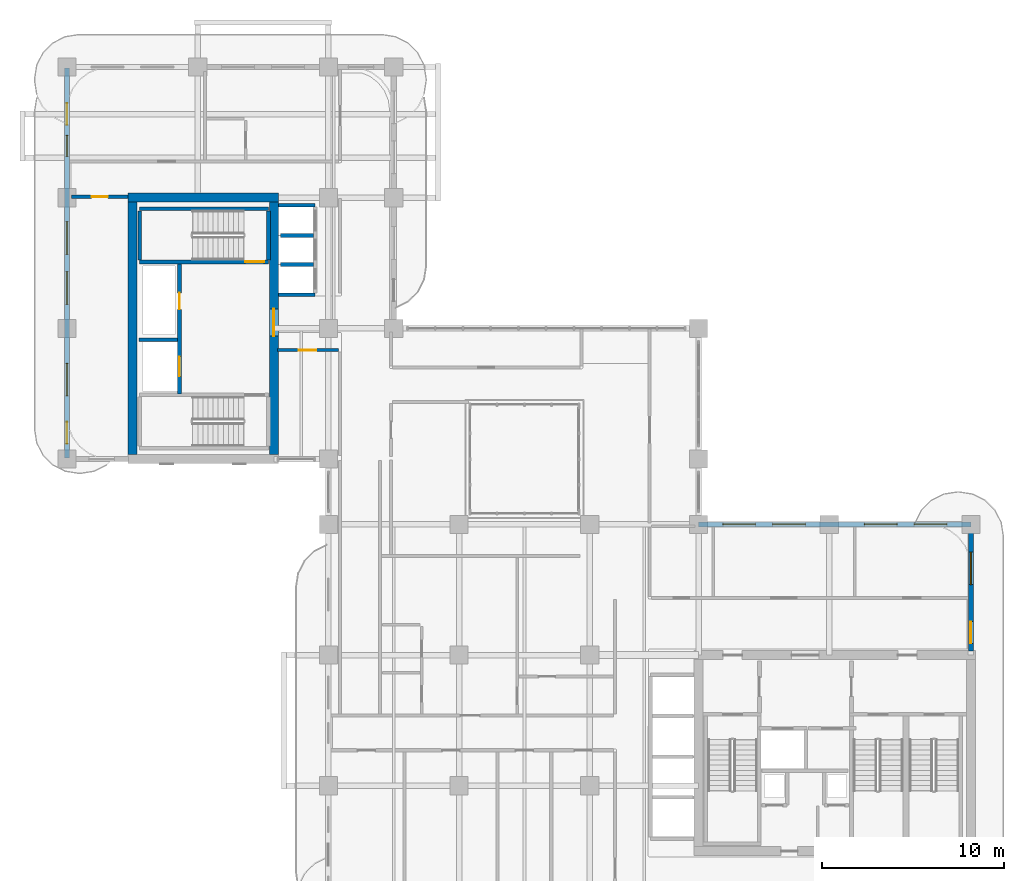
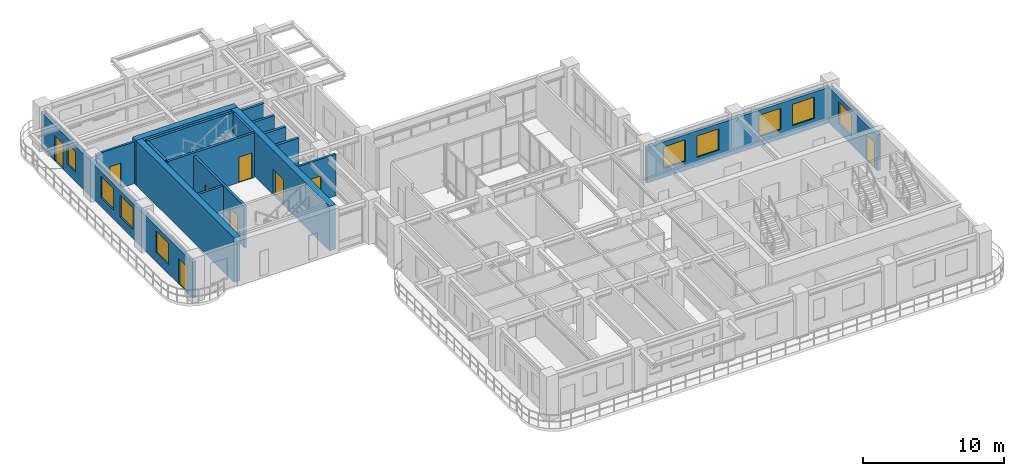
# One storey, part 14 of 21: 18 walls, 9 doors, 9 windows, 18 openings.
"""IFC4 building model written with IfcOpenShell, lengths in metres."""

from ifc_helpers import new_model, si_unit, derived_unit, direction, frame, frame_2d, origin, place, context, subcontext, project, spatial, rectangle, extrude, source, transform, mapped, material, layer, layer_set, type_object, type_shapes, element, fill, save


model = new_model("IFC4")

# Units and contexts
model_context = context("Model", 3, precision=1e-05, world=origin(), true_north=direction((0.0, 1.0)))
body_context = subcontext(model_context, "Body", "Model", "MODEL_VIEW")
ifc_project = project(units=[si_unit("LENGTHUNIT", "METRE"), si_unit("AREAUNIT", "SQUARE_METRE"), si_unit("VOLUMEUNIT", "CUBIC_METRE"), si_unit("PLANEANGLEUNIT", "RADIAN"), si_unit("MASSUNIT", "GRAM", prefix="KILO"), si_unit("THERMODYNAMICTEMPERATUREUNIT", "KELVIN"), si_unit("POWERUNIT", "WATT"), derived_unit("THERMALTRANSMITTANCEUNIT", [(si_unit("POWERUNIT", "WATT"), 1), (si_unit("AREAUNIT", "SQUARE_METRE"), -1), (si_unit("THERMODYNAMICTEMPERATUREUNIT", "KELVIN"), -1)])], contexts=[model_context])

# Site, building, storey
site_placement = place(None, origin())
site = spatial("IfcSite", under=ifc_project, at=site_placement, CompositionType="ELEMENT")
building_placement = place(site_placement, origin())
building = spatial("IfcBuilding", under=site, at=building_placement, Name="Zahravan Archway Hotel and Residences", CompositionType="ELEMENT")
storey_placement = place(building_placement, frame((0.0, 0.0, 165.699951171875)))
storey = spatial("IfcBuildingStorey", under=building, at=storey_placement, Name="L41", CompositionType="ELEMENT", Elevation=165.699951171875)

# Walls
ifc_material_1 = material(Name="Concrete C60/75", Category="concrete")
ifc_layer_1 = layer(ifc_material_1, 0.5, Name="Concrete C60/75", Category="concrete")
ifc_layer_set_1 = layer_set([ifc_layer_1], Name="Concrete C60/75")
wall_type_1 = type_object("IfcWallType", Name="CW-CORE-500", PredefinedType="SHEAR", material=ifc_layer_set_1)
wall_1_placement = place(storey_placement, frame((3.35009765625, 39.60009765625, 0.0), z_axis=(0.0, 0.0, 1.0), x_axis=(1.0, 0.0, 0.0)))
element("IfcWall", 1, at=wall_1_placement, inside=storey, type_object=wall_type_1, Name="L41 Core B Shear N Wall 500 mm", PredefinedType="SHEAR", context=body_context, shape_type="SweptSolid", body=[
    extrude(rectangle(XDim=8.2998046875, YDim=0.5, at=frame_2d((4.14990234375, 0.0))), origin(), (0.0, 0.0, 1.0), 3.85009765625),
])
wall_2_placement = place(storey_placement, frame((3.60009765625, 25.449951171875, 0.0), z_axis=(0.0, 0.0, 1.0), x_axis=(0.0, 1.0, 0.0)))
element("IfcWall", 2, at=wall_2_placement, inside=storey, type_object=wall_type_1, Name="L41 Core B Shear W Wall 500 mm", PredefinedType="SHEAR", context=body_context, shape_type="SweptSolid", body=[
    extrude(rectangle(XDim=13.900146484375, YDim=0.5, at=frame_2d((6.9501953125, 0.0))), origin(), (0.0, 0.0, 1.0), 3.85009765625),
])

# Wall, opening, door
wall_3_placement = place(storey_placement, frame((11.39990234375, 25.449951171875, 0.0), z_axis=(0.0, 0.0, 1.0), x_axis=(0.0, 1.0, 0.0)))
wall_3 = element("IfcWall", 3, at=wall_3_placement, inside=storey, type_object=wall_type_1, Name="L41 Core B Shear E Wall 500 mm", PredefinedType="SHEAR", context=body_context, shape_type="SweptSolid", body=[
    extrude(rectangle(XDim=13.900146484375, YDim=0.5, at=frame_2d((6.9501953125, 0.0))), origin(), (0.0, 0.0, 1.0), 3.85009765625),
])
opening_1_placement = place(wall_3_placement, frame((6.52001953125, 0.0, 0.0)))
opening_1 = element("IfcOpeningElement", 4, at=opening_1_placement, cuts=wall_3, Name="Opening FD-L1", PredefinedType="OPENING", context=body_context, shape_type="SweptSolid", body=[
    extrude(rectangle(XDim=1.5, YDim=2.199951171875, at=frame_2d((0.75, 1.10009765625))), frame((0.0, 0.260009765625, 0.0), z_axis=(0.0, -1.0, 0.0), x_axis=(1.0, 0.0, 0.0)), (0.0, 0.0, 1.0), 0.52001953125),
])
ifc_material_2 = material(Name="Fire-Rated Painted Steel", Category="steel")
door_type_1 = type_object("IfcDoorType", Name="FD-LOBBY-1500", OperationType="DOUBLE_DOOR_SINGLE_SWING", PredefinedType="DOOR", material=ifc_material_2)
shared_shape_1 = source(origin(), body_context, "Body", "SweptSolid", [
    extrude(rectangle(XDim=1.5, YDim=2.199951171875, at=frame_2d((0.75, 1.10009765625))), frame((0.0, 0.02490234375, 0.0), z_axis=(0.0, -1.0, 0.0), x_axis=(1.0, 0.0, 0.0)), (0.0, 0.0, 1.0), 0.050048828125),
])
type_shapes(door_type_1, [shared_shape_1])
door_1_placement = place(opening_1_placement, origin())
door_1 = element("IfcDoor", 5, at=door_1_placement, inside=storey, type_object=door_type_1, Name="L41 Core B FSAE Lobby Door", OperationType="DOUBLE_DOOR_SINGLE_SWING", OverallHeight=2.199951171875, OverallWidth=1.5, PredefinedType="DOOR", context=body_context, shape_type="MappedRepresentation", body=[
    mapped(shared_shape_1, transform((0.0, 0.0, 0.0), scale=1.0)),
])
fill(opening_1, door_1)

# Wall, openings, door, window
ifc_material_3 = material(Name="Honed Red-Ochre Sandstone & Insulated Block", Category="masonry")
ifc_layer_2 = layer(ifc_material_3, 0.280029296875, Name="Honed Red-Ochre Sandstone & Insulated Block", Category="masonry")
ifc_layer_set_2 = layer_set([ifc_layer_2], Name="Honed Red-Ochre Sandstone & Insulated Block")
wall_type_2 = type_object("IfcWallType", Name="EW-LOG-280", PredefinedType="SOLIDWALL", material=ifc_layer_set_2)
wall_4_placement = place(storey_placement, frame((49.800048828125, 14.6201171875, 0.0), z_axis=(0.0, 0.0, 1.0), x_axis=(0.0, 1.0, 0.0)))
wall_4 = element("IfcWall", 6, at=wall_4_placement, inside=storey, type_object=wall_type_2, Name="L41 Exterior Sandstone Wall WA-EN", PredefinedType="SOLIDWALL", context=body_context, shape_type="SweptSolid", body=[
    extrude(rectangle(XDim=6.929931640625, YDim=0.280029296875, at=frame_2d((3.46484375, 0.0))), origin(), (0.0, 0.0, 1.0), 3.0849609375),
])
opening_2_placement = place(wall_4_placement, frame((0.419921875, 0.0, 0.0)))
opening_2 = element("IfcOpeningElement", 7, at=opening_2_placement, cuts=wall_4, Name="Opening ED-BL1", PredefinedType="OPENING", context=body_context, shape_type="SweptSolid", body=[
    extrude(rectangle(XDim=1.199951171875, YDim=2.199951171875, at=frame_2d((0.60009765625, 1.10009765625))), frame((0.0, 0.14990234375, 0.0), z_axis=(0.0, -1.0, 0.0), x_axis=(1.0, 0.0, 0.0)), (0.0, 0.0, 1.0), 0.300048828125),
])
opening_3_placement = place(wall_4_placement, frame((3.658935546875, 0.0, 0.800048828125)))
opening_3 = element("IfcOpeningElement", 8, at=opening_3_placement, cuts=wall_4, Name="Opening W-02", PredefinedType="OPENING", context=body_context, shape_type="SweptSolid", body=[
    extrude(rectangle(XDim=1.800048828125, YDim=1.85009765625, at=frame_2d((0.89990234375, 0.925048828125))), frame((0.0, 0.14990234375, 0.0), z_axis=(0.0, -1.0, 0.0), x_axis=(1.0, 0.0, 0.0)), (0.0, 0.0, 1.0), 0.300048828125),
])
ifc_material_4 = material(Name="Bronze-Anodized Glazed Aluminium", Category="aluminium")
door_type_2 = type_object("IfcDoorType", Name="ED-BALC-1200", OperationType="SLIDING_TO_LEFT", PredefinedType="DOOR", material=ifc_material_4)
shared_shape_2 = source(origin(), body_context, "Body", "SweptSolid", [
    extrude(rectangle(XDim=1.199951171875, YDim=2.199951171875, at=frame_2d((0.60009765625, 1.10009765625))), frame((0.0, 0.02490234375, 0.0), z_axis=(0.0, -1.0, 0.0), x_axis=(1.0, 0.0, 0.0)), (0.0, 0.0, 1.0), 0.050048828125),
])
type_shapes(door_type_2, [shared_shape_2])
door_2_placement = place(opening_2_placement, origin())
door_2 = element("IfcDoor", 9, at=door_2_placement, inside=storey, type_object=door_type_2, Name="L41 Outdoor Access Sliding Door (SLB-BAL-L41-EA)", OperationType="SLIDING_TO_LEFT", OverallHeight=2.199951171875, OverallWidth=1.199951171875, PredefinedType="DOOR", context=body_context, shape_type="MappedRepresentation", body=[
    mapped(shared_shape_2, transform((0.0, 0.0, 0.0), scale=1.0)),
])
fill(opening_2, door_2)
ifc_material_5 = material(Name="Bronze-Anodized Thermal-Break Aluminium & Low-E Glass", Category="aluminium")
window_type_1 = type_object("IfcWindowType", Name="WIN-TWR-1800", PartitioningType="DOUBLE_PANEL_VERTICAL", PredefinedType="WINDOW", material=ifc_material_5)
shared_shape_3 = source(origin(), body_context, "Body", "SweptSolid", [
    extrude(rectangle(XDim=1.800048828125, YDim=1.85009765625, at=frame_2d((0.89990234375, 0.925048828125))), frame((0.0, 0.030029296875, 0.0), z_axis=(0.0, -1.0, 0.0), x_axis=(1.0, 0.0, 0.0)), (0.0, 0.0, 1.0), 0.06005859375),
])
type_shapes(window_type_1, [shared_shape_3])
window_1_placement = place(opening_3_placement, origin())
window_1 = element("IfcWindow", 10, at=window_1_placement, inside=storey, type_object=window_type_1, Name="L41 Loggia Window 11", OverallHeight=1.85009765625, OverallWidth=1.800048828125, PartitioningType="DOUBLE_PANEL_VERTICAL", PredefinedType="WINDOW", context=body_context, shape_type="MappedRepresentation", body=[
    mapped(shared_shape_3, transform((0.0, 0.0, 0.0), scale=1.0)),
])
fill(opening_3, window_1)

# Wall, openings, windows
wall_5_placement = place(storey_placement, frame((34.800048828125, 21.60009765625, 0.0), z_axis=(0.0, 0.0, 1.0), x_axis=(1.0, 0.0, 0.0)))
wall_5 = element("IfcWall", 11, at=wall_5_placement, inside=storey, type_object=wall_type_2, Name="L41 Exterior Sandstone Wall WA-NE", PredefinedType="SOLIDWALL", context=body_context, shape_type="SweptSolid", body=[
    extrude(rectangle(XDim=15.0, YDim=0.280029296875, at=frame_2d((7.5, 0.0))), origin(), (0.0, 0.0, 1.0), 3.0849609375),
])
opening_4_placement = place(wall_5_placement, frame((1.3310546875, 0.0, 0.800048828125)))
opening_4 = element("IfcOpeningElement", 12, at=opening_4_placement, cuts=wall_5, Name="Opening W-02", PredefinedType="OPENING", context=body_context, shape_type="SweptSolid", body=[
    extrude(rectangle(XDim=1.800048828125, YDim=1.85009765625, at=frame_2d((0.89990234375, 0.925048828125))), frame((0.0, 0.14990234375, 0.0), z_axis=(0.0, -1.0, 0.0), x_axis=(1.0, 0.0, 0.0)), (0.0, 0.0, 1.0), 0.300048828125),
])
opening_5_placement = place(wall_5_placement, frame((4.076904296875, 0.0, 0.800048828125)))
opening_5 = element("IfcOpeningElement", 13, at=opening_5_placement, cuts=wall_5, Name="Opening W-02", PredefinedType="OPENING", context=body_context, shape_type="SweptSolid", body=[
    extrude(rectangle(XDim=1.800048828125, YDim=1.85009765625, at=frame_2d((0.89990234375, 0.925048828125))), frame((0.0, 0.14990234375, 0.0), z_axis=(0.0, -1.0, 0.0), x_axis=(1.0, 0.0, 0.0)), (0.0, 0.0, 1.0), 0.300048828125),
])
opening_6_placement = place(wall_5_placement, frame((9.131103515625, 0.0, 0.800048828125)))
opening_6 = element("IfcOpeningElement", 14, at=opening_6_placement, cuts=wall_5, Name="Opening W-02", PredefinedType="OPENING", context=body_context, shape_type="SweptSolid", body=[
    extrude(rectangle(XDim=1.800048828125, YDim=1.85009765625, at=frame_2d((0.89990234375, 0.925048828125))), frame((0.0, 0.14990234375, 0.0), z_axis=(0.0, -1.0, 0.0), x_axis=(1.0, 0.0, 0.0)), (0.0, 0.0, 1.0), 0.300048828125),
])
opening_7_placement = place(wall_5_placement, frame((11.876953125, 0.0, 0.800048828125)))
opening_7 = element("IfcOpeningElement", 15, at=opening_7_placement, cuts=wall_5, Name="Opening W-02", PredefinedType="OPENING", context=body_context, shape_type="SweptSolid", body=[
    extrude(rectangle(XDim=1.800048828125, YDim=1.85009765625, at=frame_2d((0.89990234375, 0.925048828125))), frame((0.0, 0.14990234375, 0.0), z_axis=(0.0, -1.0, 0.0), x_axis=(1.0, 0.0, 0.0)), (0.0, 0.0, 1.0), 0.300048828125),
])
window_2_placement = place(opening_4_placement, origin())
window_2 = element("IfcWindow", 16, at=window_2_placement, inside=storey, type_object=window_type_1, Name="L41 Loggia Window 12", OverallHeight=1.85009765625, OverallWidth=1.800048828125, PartitioningType="DOUBLE_PANEL_VERTICAL", PredefinedType="WINDOW", context=body_context, shape_type="MappedRepresentation", body=[
    mapped(shared_shape_3, transform((0.0, 0.0, 0.0), scale=1.0)),
])
fill(opening_4, window_2)
window_3_placement = place(opening_5_placement, origin())
window_3 = element("IfcWindow", 17, at=window_3_placement, inside=storey, type_object=window_type_1, Name="L41 Loggia Window 13", OverallHeight=1.85009765625, OverallWidth=1.800048828125, PartitioningType="DOUBLE_PANEL_VERTICAL", PredefinedType="WINDOW", context=body_context, shape_type="MappedRepresentation", body=[
    mapped(shared_shape_3, transform((0.0, 0.0, 0.0), scale=1.0)),
])
fill(opening_5, window_3)
window_4_placement = place(opening_6_placement, origin())
window_4 = element("IfcWindow", 18, at=window_4_placement, inside=storey, type_object=window_type_1, Name="L41 Loggia Window 14", OverallHeight=1.85009765625, OverallWidth=1.800048828125, PartitioningType="DOUBLE_PANEL_VERTICAL", PredefinedType="WINDOW", context=body_context, shape_type="MappedRepresentation", body=[
    mapped(shared_shape_3, transform((0.0, 0.0, 0.0), scale=1.0)),
])
fill(opening_6, window_4)
window_5_placement = place(opening_7_placement, origin())
window_5 = element("IfcWindow", 19, at=window_5_placement, inside=storey, type_object=window_type_1, Name="L41 Loggia Window 15", OverallHeight=1.85009765625, OverallWidth=1.800048828125, PartitioningType="DOUBLE_PANEL_VERTICAL", PredefinedType="WINDOW", context=body_context, shape_type="MappedRepresentation", body=[
    mapped(shared_shape_3, transform((0.0, 0.0, 0.0), scale=1.0)),
])
fill(opening_7, window_5)

# Wall, openings, doors, windows
wall_6_placement = place(storey_placement, frame((0.0, 25.25, 0.0), z_axis=(0.0, 0.0, 1.0), x_axis=(0.0, 1.0, 0.0)))
wall_6 = element("IfcWall", 20, at=wall_6_placement, inside=storey, type_object=wall_type_2, Name="L41 Exterior Sandstone Wall WB-W", PredefinedType="SOLIDWALL", context=body_context, shape_type="SweptSolid", body=[
    extrude(rectangle(XDim=21.5, YDim=0.280029296875, at=frame_2d((10.75, 0.0))), origin(), (0.0, 0.0, 1.0), 3.0849609375),
])
opening_8_placement = place(wall_6_placement, frame((18.35693359375, 0.0, 0.0)))
opening_8 = element("IfcOpeningElement", 21, at=opening_8_placement, cuts=wall_6, Name="Opening ED-BL1", PredefinedType="OPENING", context=body_context, shape_type="SweptSolid", body=[
    extrude(rectangle(XDim=1.199951171875, YDim=2.199951171875, at=frame_2d((0.60009765625, 1.10009765625))), frame((0.0, 0.14990234375, 0.0), z_axis=(0.0, -1.0, 0.0), x_axis=(1.0, 0.0, 0.0)), (0.0, 0.0, 1.0), 0.300048828125),
])
opening_9_placement = place(wall_6_placement, frame((0.800048828125, 0.0, 0.0)))
opening_9 = element("IfcOpeningElement", 22, at=opening_9_placement, cuts=wall_6, Name="Opening ED-BL1", PredefinedType="OPENING", context=body_context, shape_type="SweptSolid", body=[
    extrude(rectangle(XDim=1.199951171875, YDim=2.199951171875, at=frame_2d((0.60009765625, 1.10009765625))), frame((0.0, 0.14990234375, 0.0), z_axis=(0.0, -1.0, 0.0), x_axis=(1.0, 0.0, 0.0)), (0.0, 0.0, 1.0), 0.300048828125),
])
opening_10_placement = place(wall_6_placement, frame((3.425048828125, 0.0, 0.800048828125)))
opening_10 = element("IfcOpeningElement", 23, at=opening_10_placement, cuts=wall_6, Name="Opening W-02", PredefinedType="OPENING", context=body_context, shape_type="SweptSolid", body=[
    extrude(rectangle(XDim=1.800048828125, YDim=1.85009765625, at=frame_2d((0.89990234375, 0.925048828125))), frame((0.0, 0.14990234375, 0.0), z_axis=(0.0, -1.0, 0.0), x_axis=(1.0, 0.0, 0.0)), (0.0, 0.0, 1.0), 0.300048828125),
])
opening_11_placement = place(wall_6_placement, frame((8.47509765625, 0.0, 0.800048828125)))
opening_11 = element("IfcOpeningElement", 24, at=opening_11_placement, cuts=wall_6, Name="Opening W-02", PredefinedType="OPENING", context=body_context, shape_type="SweptSolid", body=[
    extrude(rectangle(XDim=1.800048828125, YDim=1.85009765625, at=frame_2d((0.89990234375, 0.925048828125))), frame((0.0, 0.14990234375, 0.0), z_axis=(0.0, -1.0, 0.0), x_axis=(1.0, 0.0, 0.0)), (0.0, 0.0, 1.0), 0.300048828125),
])
opening_12_placement = place(wall_6_placement, frame((11.22509765625, 0.0, 0.800048828125)))
opening_12 = element("IfcOpeningElement", 25, at=opening_12_placement, cuts=wall_6, Name="Opening W-02", PredefinedType="OPENING", context=body_context, shape_type="SweptSolid", body=[
    extrude(rectangle(XDim=1.800048828125, YDim=1.85009765625, at=frame_2d((0.89990234375, 0.925048828125))), frame((0.0, 0.14990234375, 0.0), z_axis=(0.0, -1.0, 0.0), x_axis=(1.0, 0.0, 0.0)), (0.0, 0.0, 1.0), 0.300048828125),
])
opening_13_placement = place(wall_6_placement, frame((16.632080078125, 0.0, 0.800048828125)))
opening_13 = element("IfcOpeningElement", 26, at=opening_13_placement, cuts=wall_6, Name="Opening W-05", PredefinedType="OPENING", context=body_context, shape_type="SweptSolid", body=[
    extrude(rectangle(XDim=1.14990234375, YDim=1.800048828125, at=frame_2d((0.574951171875, 0.89990234375))), frame((0.0, 0.14990234375, 0.0), z_axis=(0.0, -1.0, 0.0), x_axis=(1.0, 0.0, 0.0)), (0.0, 0.0, 1.0), 0.300048828125),
])
door_3_placement = place(opening_8_placement, origin())
door_3 = element("IfcDoor", 27, at=door_3_placement, inside=storey, type_object=door_type_2, Name="L41 Outdoor Access Sliding Door (SLB-BAL-L41-NB)", OperationType="SLIDING_TO_LEFT", OverallHeight=2.199951171875, OverallWidth=1.199951171875, PredefinedType="DOOR", context=body_context, shape_type="MappedRepresentation", body=[
    mapped(shared_shape_2, transform((0.0, 0.0, 0.0), scale=1.0)),
])
fill(opening_8, door_3)
door_4_placement = place(opening_9_placement, origin())
door_4 = element("IfcDoor", 28, at=door_4_placement, inside=storey, type_object=door_type_2, Name="L41 Outdoor Access Sliding Door (SLB-BAL-L41-WB)", OperationType="SLIDING_TO_LEFT", OverallHeight=2.199951171875, OverallWidth=1.199951171875, PredefinedType="DOOR", context=body_context, shape_type="MappedRepresentation", body=[
    mapped(shared_shape_2, transform((0.0, 0.0, 0.0), scale=1.0)),
])
fill(opening_9, door_4)
window_6_placement = place(opening_10_placement, origin())
window_6 = element("IfcWindow", 29, at=window_6_placement, inside=storey, type_object=window_type_1, Name="L41 Loggia Window 22", OverallHeight=1.85009765625, OverallWidth=1.800048828125, PartitioningType="DOUBLE_PANEL_VERTICAL", PredefinedType="WINDOW", context=body_context, shape_type="MappedRepresentation", body=[
    mapped(shared_shape_3, transform((0.0, 0.0, 0.0), scale=1.0)),
])
fill(opening_10, window_6)
window_7_placement = place(opening_11_placement, origin())
window_7 = element("IfcWindow", 30, at=window_7_placement, inside=storey, type_object=window_type_1, Name="L41 Loggia Window 23", OverallHeight=1.85009765625, OverallWidth=1.800048828125, PartitioningType="DOUBLE_PANEL_VERTICAL", PredefinedType="WINDOW", context=body_context, shape_type="MappedRepresentation", body=[
    mapped(shared_shape_3, transform((0.0, 0.0, 0.0), scale=1.0)),
])
fill(opening_11, window_7)
window_8_placement = place(opening_12_placement, origin())
window_8 = element("IfcWindow", 31, at=window_8_placement, inside=storey, type_object=window_type_1, Name="L41 Loggia Window 24", OverallHeight=1.85009765625, OverallWidth=1.800048828125, PartitioningType="DOUBLE_PANEL_VERTICAL", PredefinedType="WINDOW", context=body_context, shape_type="MappedRepresentation", body=[
    mapped(shared_shape_3, transform((0.0, 0.0, 0.0), scale=1.0)),
])
fill(opening_12, window_8)
window_type_2 = type_object("IfcWindowType", Name="WIN-TWR-1150", PartitioningType="SINGLE_PANEL", PredefinedType="WINDOW", material=ifc_material_5)
shared_shape_4 = source(origin(), body_context, "Body", "SweptSolid", [
    extrude(rectangle(XDim=1.14990234375, YDim=1.800048828125, at=frame_2d((0.574951171875, 0.89990234375))), frame((0.0, 0.030029296875, 0.0), z_axis=(0.0, -1.0, 0.0), x_axis=(1.0, 0.0, 0.0)), (0.0, 0.0, 1.0), 0.06005859375),
])
type_shapes(window_type_2, [shared_shape_4])
window_9_placement = place(opening_13_placement, origin())
window_9 = element("IfcWindow", 32, at=window_9_placement, inside=storey, type_object=window_type_2, Name="L41 Loggia Window 25", OverallHeight=1.800048828125, OverallWidth=1.14990234375, PartitioningType="SINGLE_PANEL", PredefinedType="WINDOW", context=body_context, shape_type="MappedRepresentation", body=[
    mapped(shared_shape_4, transform((0.0, 0.0, 0.0), scale=1.0)),
])
fill(opening_13, window_9)

# Wall, openings, doors
ifc_material_6 = material(Name="Fire-Rated Gypsum & Concrete Block", Category="concrete")
ifc_layer_3 = layer(ifc_material_6, 0.199951171875, Name="Fire-Rated Gypsum & Concrete Block", Category="concrete")
ifc_layer_set_3 = layer_set([ifc_layer_3], Name="Fire-Rated Gypsum & Concrete Block")
wall_type_3 = type_object("IfcWallType", Name="PW-SHAFT-200", PredefinedType="PARTITIONING", material=ifc_layer_set_3)
wall_7_placement = place(storey_placement, frame((6.199951171875, 28.7900390625, 0.0), z_axis=(0.0, 0.0, 1.0), x_axis=(0.0, 1.0, 0.0)))
wall_7 = element("IfcWall", 33, at=wall_7_placement, inside=storey, type_object=wall_type_3, Name="L41 Partition CB-FL3E", PredefinedType="PARTITIONING", context=body_context, shape_type="SweptSolid", body=[
    extrude(rectangle(XDim=7.219970703125, YDim=0.199951171875, at=frame_2d((3.60986328125, 0.0))), origin(), (0.0, 0.0, 1.0), 3.60009765625),
])
opening_14_placement = place(wall_7_placement, frame((4.659912109375, 0.0, 0.0)))
opening_14 = element("IfcOpeningElement", 34, at=opening_14_placement, cuts=wall_7, Name="Opening FD-R1", PredefinedType="OPENING", context=body_context, shape_type="SweptSolid", body=[
    extrude(rectangle(XDim=0.89990234375, YDim=2.10009765625, at=frame_2d((0.449951171875, 1.050048828125))), frame((0.0, 0.10986328125, 0.0), z_axis=(0.0, -1.0, 0.0), x_axis=(1.0, 0.0, 0.0)), (0.0, 0.0, 1.0), 0.219970703125),
])
opening_15_placement = place(wall_7_placement, frame((0.9599609375, 0.0, 0.0)))
opening_15 = element("IfcOpeningElement", 35, at=opening_15_placement, cuts=wall_7, Name="Opening LD", PredefinedType="OPENING", context=body_context, shape_type="SweptSolid", body=[
    extrude(rectangle(XDim=1.10009765625, YDim=2.199951171875, at=frame_2d((0.550048828125, 1.10009765625))), frame((0.0, 0.10986328125, 0.0), z_axis=(0.0, -1.0, 0.0), x_axis=(1.0, 0.0, 0.0)), (0.0, 0.0, 1.0), 0.219970703125),
])
door_type_3 = type_object("IfcDoorType", Name="FD-RISER-900", OperationType="NOTDEFINED", PredefinedType="DOOR", material=ifc_material_2)
shared_shape_5 = source(origin(), body_context, "Body", "SweptSolid", [
    extrude(rectangle(XDim=0.89990234375, YDim=2.10009765625, at=frame_2d((0.449951171875, 1.050048828125))), frame((0.0, 0.02490234375, 0.0), z_axis=(0.0, -1.0, 0.0), x_axis=(1.0, 0.0, 0.0)), (0.0, 0.0, 1.0), 0.050048828125),
])
type_shapes(door_type_3, [shared_shape_5])
door_5_placement = place(opening_14_placement, origin())
door_5 = element("IfcDoor", 36, at=door_5_placement, inside=storey, type_object=door_type_3, Name="L41 Core B Riser Door", OperationType="SINGLE_SWING_LEFT", OverallHeight=2.10009765625, OverallWidth=0.89990234375, PredefinedType="DOOR", context=body_context, shape_type="MappedRepresentation", body=[
    mapped(shared_shape_5, transform((0.0, 0.0, 0.0), scale=1.0)),
])
fill(opening_14, door_5)
ifc_material_7 = material(Name="Brushed Stainless Steel", Category="steel")
door_type_4 = type_object("IfcDoorType", Name="DR-LIFT-LD", OperationType="SLIDING_TO_LEFT", PredefinedType="DOOR", material=ifc_material_7)
shared_shape_6 = source(origin(), body_context, "Body", "SweptSolid", [
    extrude(rectangle(XDim=1.10009765625, YDim=2.199951171875, at=frame_2d((0.550048828125, 1.10009765625))), frame((0.0, 0.02490234375, 0.0), z_axis=(0.0, -1.0, 0.0), x_axis=(1.0, 0.0, 0.0)), (0.0, 0.0, 1.0), 0.050048828125),
])
type_shapes(door_type_4, [shared_shape_6])
door_6_placement = place(opening_15_placement, origin())
door_6 = element("IfcDoor", 37, at=door_6_placement, inside=storey, type_object=door_type_4, Name="L41 Lift FL-3 Sliding Landing Door", OperationType="SLIDING_TO_LEFT", OverallHeight=2.199951171875, OverallWidth=1.10009765625, PredefinedType="DOOR", context=body_context, shape_type="MappedRepresentation", body=[
    mapped(shared_shape_6, transform((0.0, 0.0, 0.0), scale=1.0)),
])
fill(opening_15, door_6)

# Walls
wall_8_placement = place(storey_placement, frame((3.9599609375, 31.780029296875, 0.0), z_axis=(0.0, 0.0, 1.0), x_axis=(1.0, 0.0, 0.0)))
element("IfcWall", 38, at=wall_8_placement, inside=storey, type_object=wall_type_3, Name="L41 Partition CB-FL3N", PredefinedType="PARTITIONING", context=body_context, shape_type="SweptSolid", body=[
    extrude(rectangle(XDim=2.130126953125, YDim=0.199951171875, at=frame_2d((1.06494140625, 0.0))), origin(), (0.0, 0.0, 1.0), 3.60009765625),
])
for number, where, z_axis, x_axis, name in (
    (39, (11.659912109375, 34.25, 0.0), (0.0, 0.0, 1.0), (1.0, 0.0, 0.0), "L41 Partition B2-S"),
    (40, (11.659912109375, 39.18994140625, 0.0), (0.0, 0.0, 1.0), (1.0, 0.0, 0.0), "L41 Partition B2-N"),
):
    element("IfcWall", number, at=place(storey_placement, frame(where, z_axis=z_axis, x_axis=x_axis)), inside=storey, type_object=wall_type_3, Name=name, PredefinedType="PARTITIONING", context=body_context, shape_type="SweptSolid", body=[
        extrude(rectangle(XDim=2.010009765625, YDim=0.199951171875, at=frame_2d((1.0048828125, 0.0))), origin(), (0.0, 0.0, 1.0), 3.60009765625),
    ])
for number, where, z_axis, x_axis, name in (
    (41, (11.760009765625, 35.919921875, 0.0), (0.0, 0.0, 1.0), (1.0, 0.0, 0.0), "L41 Partition B2-D"),
    (42, (11.760009765625, 37.52001953125, 0.0), (0.0, 0.0, 1.0), (1.0, 0.0, 0.0), "L41 Partition B2-D"),
):
    element("IfcWall", number, at=place(storey_placement, frame(where, z_axis=z_axis, x_axis=x_axis)), inside=storey, type_object=wall_type_3, Name=name, PredefinedType="PARTITIONING", context=body_context, shape_type="SweptSolid", body=[
        extrude(rectangle(XDim=1.81005859375, YDim=0.199951171875, at=frame_2d((0.905029296875, 0.0))), origin(), (0.0, 0.0, 1.0), 3.60009765625),
    ])

# Wall, opening, door
ifc_material_8 = material(Name="Acoustic Stud Partition")
ifc_layer_4 = layer(ifc_material_8, 0.169921875, Name="Acoustic Stud Partition")
ifc_layer_set_4 = layer_set([ifc_layer_4], Name="Acoustic Stud Partition")
wall_type_4 = type_object("IfcWallType", Name="PW-UNIT-170", PredefinedType="PARTITIONING", material=ifc_layer_set_4)
wall_9_placement = place(storey_placement, frame((0.239990234375, 39.64990234375, 0.0), z_axis=(0.0, 0.0, 1.0), x_axis=(1.0, 0.0, 0.0)))
wall_9 = element("IfcWall", 43, at=wall_9_placement, inside=storey, type_object=wall_type_4, Name="L41 Partition WBW-N", PredefinedType="PARTITIONING", context=body_context, shape_type="SweptSolid", body=[
    extrude(rectangle(XDim=3.1201171875, YDim=0.169921875, at=frame_2d((1.56005859375, 0.0))), origin(), (0.0, 0.0, 1.0), 3.60009765625),
])
opening_16_placement = place(wall_9_placement, frame((1.110107421875, 0.0, 0.0)))
opening_16 = element("IfcOpeningElement", 44, at=opening_16_placement, cuts=wall_9, Name="Opening D-I2", PredefinedType="OPENING", context=body_context, shape_type="SweptSolid", body=[
    extrude(rectangle(XDim=0.89990234375, YDim=2.14990234375, at=frame_2d((0.449951171875, 1.074951171875))), frame((0.0, 0.094970703125, 0.0), z_axis=(0.0, -1.0, 0.0), x_axis=(1.0, 0.0, 0.0)), (0.0, 0.0, 1.0), 0.18994140625),
])
ifc_material_9 = material(Name="Hardwood Veneer Timber", Category="wood")
door_type_5 = type_object("IfcDoorType", Name="ID-INT-900", OperationType="NOTDEFINED", PredefinedType="DOOR", material=ifc_material_9)
shared_shape_7 = source(origin(), body_context, "Body", "SweptSolid", [
    extrude(rectangle(XDim=0.89990234375, YDim=2.14990234375, at=frame_2d((0.449951171875, 1.074951171875))), frame((0.0, 0.02490234375, 0.0), z_axis=(0.0, -1.0, 0.0), x_axis=(1.0, 0.0, 0.0)), (0.0, 0.0, 1.0), 0.050048828125),
])
type_shapes(door_type_5, [shared_shape_7])
door_7_placement = place(opening_16_placement, origin())
door_7 = element("IfcDoor", 45, at=door_7_placement, inside=storey, type_object=door_type_5, Name="L41 West Loggia Salon Door", OperationType="SINGLE_SWING_RIGHT", OverallHeight=2.14990234375, OverallWidth=0.89990234375, PredefinedType="DOOR", context=body_context, shape_type="MappedRepresentation", body=[
    mapped(shared_shape_7, transform((0.0, 0.0, 0.0), scale=1.0)),
])
fill(opening_16, door_7)

wall_10_placement = place(storey_placement, frame((11.590087890625, 31.199951171875, 0.0), z_axis=(0.0, 0.0, 1.0), x_axis=(1.0, 0.0, 0.0)))
wall_10 = element("IfcWall", 46, at=wall_10_placement, inside=storey, type_object=wall_type_4, Name="L41 Partition FB1-N", PredefinedType="PARTITIONING", context=body_context, shape_type="SweptSolid", body=[
    extrude(rectangle(XDim=3.369873046875, YDim=0.169921875, at=frame_2d((1.68505859375, 0.0))), origin(), (0.0, 0.0, 1.0), 3.60009765625),
])
opening_17_placement = place(wall_10_placement, frame((1.18505859375, 0.0, 0.0)))
opening_17 = element("IfcOpeningElement", 47, at=opening_17_placement, cuts=wall_10, Name="Opening D-I1", PredefinedType="OPENING", context=body_context, shape_type="SweptSolid", body=[
    extrude(rectangle(XDim=0.949951171875, YDim=2.14990234375, at=frame_2d((0.47509765625, 1.074951171875))), frame((0.0, 0.094970703125, 0.0), z_axis=(0.0, -1.0, 0.0), x_axis=(1.0, 0.0, 0.0)), (0.0, 0.0, 1.0), 0.18994140625),
])
door_type_6 = type_object("IfcDoorType", Name="ID-INT-950", OperationType="NOTDEFINED", PredefinedType="DOOR", material=ifc_material_9)
shared_shape_8 = source(origin(), body_context, "Body", "SweptSolid", [
    extrude(rectangle(XDim=0.949951171875, YDim=2.14990234375, at=frame_2d((0.47509765625, 1.074951171875))), frame((0.0, 0.02490234375, 0.0), z_axis=(0.0, -1.0, 0.0), x_axis=(1.0, 0.0, 0.0)), (0.0, 0.0, 1.0), 0.050048828125),
])
type_shapes(door_type_6, [shared_shape_8])
door_8_placement = place(opening_17_placement, origin())
door_8 = element("IfcDoor", 48, at=door_8_placement, inside=storey, type_object=door_type_6, Name="L41 Freed Bank 1 Reading Salon Door", OperationType="SINGLE_SWING_LEFT", OverallHeight=2.14990234375, OverallWidth=0.949951171875, PredefinedType="DOOR", context=body_context, shape_type="MappedRepresentation", body=[
    mapped(shared_shape_8, transform((0.0, 0.0, 0.0), scale=1.0)),
])
fill(opening_17, door_8)

# Walls
ifc_material_10 = material(Name="Concrete C50/60", Category="concrete")
ifc_layer_5 = layer(ifc_material_10, 0.199951171875, Name="Concrete C50/60", Category="concrete")
ifc_layer_set_5 = layer_set([ifc_layer_5], Name="Concrete C50/60")
wall_type_5 = type_object("IfcWallType", Name="SW-STAIR-200", PredefinedType="SHEAR", material=ifc_layer_set_5)
wall_11_placement = place(storey_placement, frame((4.0, 39.0, 0.0), z_axis=(0.0, 0.0, 1.0), x_axis=(1.0, 0.0, 0.0)))
element("IfcWall", 49, at=wall_11_placement, inside=storey, type_object=wall_type_5, Name="L41 Stairwell RC Wall CB-SB2N", PredefinedType="SHEAR", context=body_context, shape_type="SweptSolid", body=[
    extrude(rectangle(XDim=7.10009765625, YDim=0.199951171875, at=frame_2d((3.550048828125, 0.0))), origin(), (0.0, 0.0, 1.0), 3.85009765625),
])
for number, where, z_axis, x_axis, name in (
    (50, (4.0, 36.179931640625, 0.0), (0.0, 0.0, 1.0), (0.0, 1.0, 0.0), "L41 Stairwell RC Wall CB-SB2W"),
    (51, (11.10009765625, 36.179931640625, 0.0), (0.0, 0.0, 1.0), (0.0, 1.0, 0.0), "L41 Stairwell RC Wall CB-SB2E"),
):
    element("IfcWall", number, at=place(storey_placement, frame(where, z_axis=z_axis, x_axis=x_axis)), inside=storey, type_object=wall_type_5, Name=name, PredefinedType="SHEAR", context=body_context, shape_type="SweptSolid", body=[
        extrude(rectangle(XDim=2.699951171875, YDim=0.199951171875, at=frame_2d((1.35009765625, 0.0))), origin(), (0.0, 0.0, 1.0), 3.85009765625),
    ])

# Wall, opening, door
wall_12_placement = place(storey_placement, frame((4.0, 36.06005859375, 0.0), z_axis=(0.0, 0.0, 1.0), x_axis=(1.0, 0.0, 0.0)))
wall_12 = element("IfcWall", 52, at=wall_12_placement, inside=storey, type_object=wall_type_5, Name="L41 Stairwell RC Wall CB-SB2S", PredefinedType="SHEAR", context=body_context, shape_type="SweptSolid", body=[
    extrude(rectangle(XDim=7.10009765625, YDim=0.199951171875, at=frame_2d((3.550048828125, 0.0))), origin(), (0.0, 0.0, 1.0), 3.85009765625),
])
opening_18_placement = place(wall_12_placement, frame((5.81494140625, 0.0, 0.0)))
opening_18 = element("IfcOpeningElement", 53, at=opening_18_placement, cuts=wall_12, Name="Opening FD-S1", PredefinedType="OPENING", context=body_context, shape_type="SweptSolid", body=[
    extrude(rectangle(XDim=1.050048828125, YDim=2.199951171875, at=frame_2d((0.52490234375, 1.10009765625))), frame((0.0, 0.10986328125, 0.0), z_axis=(0.0, -1.0, 0.0), x_axis=(1.0, 0.0, 0.0)), (0.0, 0.0, 1.0), 0.219970703125),
])
door_type_7 = type_object("IfcDoorType", Name="FD-STAIR-1100", OperationType="NOTDEFINED", PredefinedType="DOOR", material=ifc_material_2)
shared_shape_9 = source(origin(), body_context, "Body", "SweptSolid", [
    extrude(rectangle(XDim=1.050048828125, YDim=2.199951171875, at=frame_2d((0.52490234375, 1.10009765625))), frame((0.0, 0.02490234375, 0.0), z_axis=(0.0, -1.0, 0.0), x_axis=(1.0, 0.0, 0.0)), (0.0, 0.0, 1.0), 0.050048828125),
])
type_shapes(door_type_7, [shared_shape_9])
door_9_placement = place(opening_18_placement, origin())
door_9 = element("IfcDoor", 54, at=door_9_placement, inside=storey, type_object=door_type_7, Name="L41 Stair ST-B2 Door", OperationType="SINGLE_SWING_RIGHT", OverallHeight=2.199951171875, OverallWidth=1.050048828125, PredefinedType="DOOR", context=body_context, shape_type="MappedRepresentation", body=[
    mapped(shared_shape_9, transform((0.0, 0.0, 0.0), scale=1.0)),
])
fill(opening_18, door_9)

save(model, "model.ifc")
